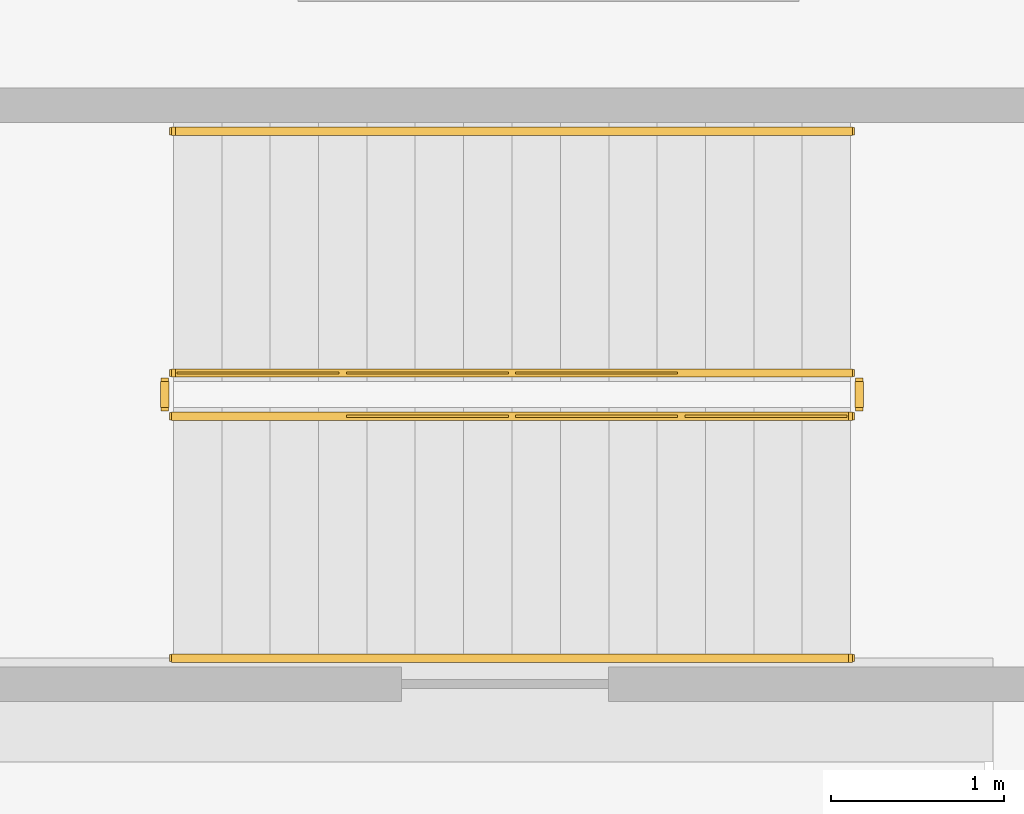
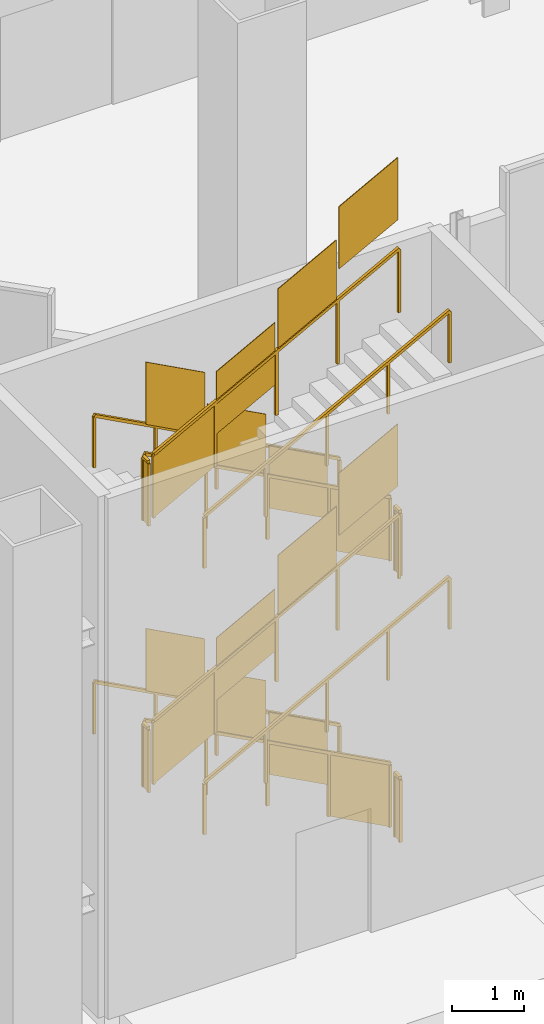
# One storey, part 30 of 38: 12 railings.
"""IFC4 building model written with IfcOpenShell, lengths in metres."""

from ifc_helpers import new_model, si_unit, direction, frame, origin, origin_2d, place, context, subcontext, project, spatial, polyline, rectangle, outline, extrude, material, type_object, element, save


model = new_model("IFC4")

# Units and contexts
model_context = context("Model", 3, precision=1e-05, world=origin(), true_north=direction((0.0, 1.0)))
body_context = subcontext(model_context, "Body", "Model", "MODEL_VIEW")
ifc_project = project(units=[si_unit("LENGTHUNIT", "METRE"), si_unit("AREAUNIT", "SQUARE_METRE"), si_unit("VOLUMEUNIT", "CUBIC_METRE"), si_unit("PLANEANGLEUNIT", "RADIAN"), si_unit("MASSUNIT", "GRAM", prefix="KILO")], contexts=[model_context])

# Site, building, storey
site_placement = place(None, origin())
site = spatial("IfcSite", under=ifc_project, at=site_placement, CompositionType="ELEMENT")
building_placement = place(site_placement, origin())
building = spatial("IfcBuilding", under=site, at=building_placement, Name="Cairn Pilgrim Tower", CompositionType="ELEMENT")
storey_placement = place(building_placement, origin())
storey = spatial("IfcBuildingStorey", under=building, at=storey_placement, Name="L00", CompositionType="ELEMENT", Elevation=0.0)

# Railings
ifc_material = material(Name="Painted steel", Category="steel")
railing_type_1 = type_object("IfcRailingType", Name="PODIUM STAIR GUARD 1100", PredefinedType="GUARDRAIL", material=ifc_material)
railing_1_placement = place(storey_placement, frame((-25.60009765625, -26.25, 0.14990234375)))
element("IfcRailing", 1, at=railing_1_placement, inside=storey, type_object=railing_type_1, Name="L00 ST-HS stair guard 1", PredefinedType="GUARDRAIL", context=body_context, shape_type="SweptSolid", body=[
    extrude(rectangle(XDim=0.048095703125, YDim=0.048095703125, at=origin_2d()), frame((0.0, 0.0, 1.076171875), z_axis=(-0.881466911329, 0.0, 0.472245787945), x_axis=(0.0, -1.0, 0.0)), (0.0, 0.0, 1.0), 4.447021484375),
    extrude(rectangle(XDim=0.0419921875, YDim=0.0419921875, at=origin_2d()), origin(), (0.0, 0.0, 1.0), 1.052001953125),
    extrude(rectangle(XDim=0.0419921875, YDim=0.0419921875, at=origin_2d()), frame((-0.97998046875, 0.0, 0.52490234375)), (0.0, 0.0, 1.0), 1.052001953125),
    extrude(rectangle(XDim=0.0419921875, YDim=0.0419921875, at=origin_2d()), frame((-1.9599609375, 0.0, 1.050048828125)), (0.0, 0.0, 1.0), 1.052001953125),
    extrude(rectangle(XDim=0.0419921875, YDim=0.0419921875, at=origin_2d()), frame((-2.93994140625, 0.0, 1.5751953125)), (0.0, 0.0, 1.0), 1.052001953125),
    extrude(rectangle(XDim=0.0419921875, YDim=0.0419921875, at=origin_2d()), frame((-3.919921875, 0.0, 2.10009765625)), (0.0, 0.0, 1.0), 1.052001953125),
    extrude(outline(polyline([(0.02099609375, 0.01123046875), (0.958984375, 0.513671875), (0.958984375, 1.565673828125), (0.02099609375, 1.063232421875), (0.02099609375, 0.01123046875)])), frame((0.0, -0.005859375, 0.0), z_axis=(0.0, 1.0, 0.0), x_axis=(-1.0, 0.0, 0.0)), (0.0, 0.0, 1.0), 0.011962890625),
    extrude(outline(polyline([(0.02099609375, 0.536376953125), (0.958984375, 1.038818359375), (0.958984375, 2.0908203125), (0.02099609375, 1.58837890625), (0.02099609375, 0.536376953125)])), frame((-0.97998046875, -0.005859375, 0.52490234375), z_axis=(0.0, 1.0, 0.0), x_axis=(-1.0, 0.0, 0.0)), (0.0, 0.0, 1.0), 0.011962890625),
    extrude(outline(polyline([(0.02099609375, 1.061279296875), (0.958984375, 1.563720703125), (0.958984375, 2.61572265625), (0.02099609375, 2.11328125), (0.02099609375, 1.061279296875)])), frame((-1.9599609375, -0.005859375, 1.050048828125), z_axis=(0.0, 1.0, 0.0), x_axis=(-1.0, 0.0, 0.0)), (0.0, 0.0, 1.0), 0.011962890625),
    extrude(outline(polyline([(0.02099609375, 1.58642578125), (0.958984375, 2.0888671875), (0.958984375, 3.140869140625), (0.02099609375, 2.638427734375), (0.02099609375, 1.58642578125)])), frame((-2.93994140625, -0.005859375, 1.5751953125), z_axis=(0.0, 1.0, 0.0), x_axis=(-1.0, 0.0, 0.0)), (0.0, 0.0, 1.0), 0.011962890625),
])
railing_2_placement = place(storey_placement, frame((-29.570068359375, -26.300048828125, 2.25)))
element("IfcRailing", 2, at=railing_2_placement, inside=storey, type_object=railing_type_1, Name="L00 ST-HS stair guard 2", PredefinedType="GUARDRAIL", context=body_context, shape_type="SweptSolid", body=[
    extrude(rectangle(XDim=0.048095703125, YDim=0.048095703125, at=origin_2d()), frame((0.0, 0.0, 1.076171875), z_axis=(0.0, -1.0, 0.0), x_axis=(1.0, 0.0, 0.0)), (0.0, 0.0, 1.0), 0.14990234375),
    extrude(rectangle(XDim=0.0419921875, YDim=0.0419921875, at=origin_2d()), origin(), (0.0, 0.0, 1.0), 1.052001953125),
    extrude(rectangle(XDim=0.0419921875, YDim=0.0419921875, at=origin_2d()), frame((0.0, -0.14990234375, 0.0)), (0.0, 0.0, 1.0), 1.052001953125),
    extrude(outline(polyline([(0.02099609375, 0.0), (0.12890625, 0.0), (0.12890625, 1.052001953125), (0.02099609375, 1.052001953125), (0.02099609375, 0.0)])), frame((0.005859375, 0.0, 0.0), z_axis=(-1.0, 0.0, 0.0), x_axis=(0.0, -1.0, 0.0)), (0.0, 0.0, 1.0), 0.011962890625),
])
railing_3_placement = place(storey_placement, frame((-29.52001953125, -26.5, 2.39990234375)))
element("IfcRailing", 3, at=railing_3_placement, inside=storey, type_object=railing_type_1, Name="L00 ST-HS stair guard 3", PredefinedType="GUARDRAIL", context=body_context, shape_type="SweptSolid", body=[
    extrude(rectangle(XDim=0.048095703125, YDim=0.048095703125, at=origin_2d()), frame((0.0, 0.0, 1.076171875), z_axis=(0.881466911329, 0.0, 0.472245787945), x_axis=(0.0, 1.0, 0.0)), (0.0, 0.0, 1.0), 4.447021484375),
    extrude(rectangle(XDim=0.0419921875, YDim=0.0419921875, at=origin_2d()), origin(), (0.0, 0.0, 1.0), 1.052001953125),
    extrude(rectangle(XDim=0.0419921875, YDim=0.0419921875, at=origin_2d()), frame((0.97998046875, 0.0, 0.52490234375)), (0.0, 0.0, 1.0), 1.052001953125),
    extrude(rectangle(XDim=0.0419921875, YDim=0.0419921875, at=origin_2d()), frame((1.9599609375, 0.0, 1.050048828125)), (0.0, 0.0, 1.0), 1.052001953125),
    extrude(rectangle(XDim=0.0419921875, YDim=0.0419921875, at=origin_2d()), frame((2.93994140625, 0.0, 1.5751953125)), (0.0, 0.0, 1.0), 1.052001953125),
    extrude(rectangle(XDim=0.0419921875, YDim=0.0419921875, at=origin_2d()), frame((3.919921875, 0.0, 2.10009765625)), (0.0, 0.0, 1.0), 1.052001953125),
    extrude(outline(polyline([(0.02099609375, 0.01123046875), (0.958984375, 0.513671875), (0.958984375, 1.565673828125), (0.02099609375, 1.063232421875), (0.02099609375, 0.01123046875)])), frame((0.0, 0.005859375, 0.0), z_axis=(0.0, -1.0, 0.0), x_axis=(1.0, 0.0, 0.0)), (0.0, 0.0, 1.0), 0.011962890625),
    extrude(outline(polyline([(0.02099609375, 0.536376953125), (0.958984375, 1.038818359375), (0.958984375, 2.0908203125), (0.02099609375, 1.58837890625), (0.02099609375, 0.536376953125)])), frame((0.97998046875, 0.005859375, 0.52490234375), z_axis=(0.0, -1.0, 0.0), x_axis=(1.0, 0.0, 0.0)), (0.0, 0.0, 1.0), 0.011962890625),
    extrude(outline(polyline([(0.02099609375, 1.061279296875), (0.958984375, 1.563720703125), (0.958984375, 2.61572265625), (0.02099609375, 2.11328125), (0.02099609375, 1.061279296875)])), frame((1.9599609375, 0.005859375, 1.050048828125), z_axis=(0.0, -1.0, 0.0), x_axis=(1.0, 0.0, 0.0)), (0.0, 0.0, 1.0), 0.011962890625),
    extrude(outline(polyline([(0.02099609375, 1.58642578125), (0.958984375, 2.0888671875), (0.958984375, 3.140869140625), (0.02099609375, 2.638427734375), (0.02099609375, 1.58642578125)])), frame((2.93994140625, 0.005859375, 1.5751953125), z_axis=(0.0, -1.0, 0.0), x_axis=(1.0, 0.0, 0.0)), (0.0, 0.0, 1.0), 0.011962890625),
])
railing_4_placement = place(storey_placement, frame((-25.550048828125, -26.300048828125, 4.5)))
element("IfcRailing", 4, at=railing_4_placement, inside=storey, type_object=railing_type_1, Name="L00 ST-HS stair guard 4", PredefinedType="GUARDRAIL", context=body_context, shape_type="SweptSolid", body=[
    extrude(rectangle(XDim=0.048095703125, YDim=0.048095703125, at=origin_2d()), frame((0.0, 0.0, 1.076171875), z_axis=(0.0, -1.0, 0.0), x_axis=(1.0, 0.0, 0.0)), (0.0, 0.0, 1.0), 0.14990234375),
    extrude(rectangle(XDim=0.0419921875, YDim=0.0419921875, at=origin_2d()), origin(), (0.0, 0.0, 1.0), 1.052001953125),
    extrude(rectangle(XDim=0.0419921875, YDim=0.0419921875, at=origin_2d()), frame((0.0, -0.14990234375, 0.0)), (0.0, 0.0, 1.0), 1.052001953125),
    extrude(outline(polyline([(0.02099609375, 0.0), (0.12890625, 0.0), (0.12890625, 1.052001953125), (0.02099609375, 1.052001953125), (0.02099609375, 0.0)])), frame((0.005859375, 0.0, 0.0), z_axis=(-1.0, 0.0, 0.0), x_axis=(0.0, -1.0, 0.0)), (0.0, 0.0, 1.0), 0.011962890625),
])
railing_5_placement = place(storey_placement, frame((-25.60009765625, -26.25, 4.64990234375)))
element("IfcRailing", 5, at=railing_5_placement, inside=storey, type_object=railing_type_1, Name="L00 ST-HS stair guard 5", PredefinedType="GUARDRAIL", context=body_context, shape_type="SweptSolid", body=[
    extrude(rectangle(XDim=0.048095703125, YDim=0.048095703125, at=origin_2d()), frame((0.0, 0.0, 1.076171875), z_axis=(-0.881466911329, 0.0, 0.472245787945), x_axis=(0.0, -1.0, 0.0)), (0.0, 0.0, 1.0), 4.447021484375),
    extrude(rectangle(XDim=0.0419921875, YDim=0.0419921875, at=origin_2d()), origin(), (0.0, 0.0, 1.0), 1.052001953125),
    extrude(rectangle(XDim=0.0419921875, YDim=0.0419921875, at=origin_2d()), frame((-0.97998046875, 0.0, 0.52490234375)), (0.0, 0.0, 1.0), 1.052001953125),
    extrude(rectangle(XDim=0.0419921875, YDim=0.0419921875, at=origin_2d()), frame((-1.9599609375, 0.0, 1.050048828125)), (0.0, 0.0, 1.0), 1.052001953125),
    extrude(rectangle(XDim=0.0419921875, YDim=0.0419921875, at=origin_2d()), frame((-2.93994140625, 0.0, 1.5751953125)), (0.0, 0.0, 1.0), 1.052001953125),
    extrude(rectangle(XDim=0.0419921875, YDim=0.0419921875, at=origin_2d()), frame((-3.919921875, 0.0, 2.10009765625)), (0.0, 0.0, 1.0), 1.052001953125),
    extrude(outline(polyline([(0.02099609375, 0.01123046875), (0.958984375, 0.513671875), (0.958984375, 1.565673828125), (0.02099609375, 1.063232421875), (0.02099609375, 0.01123046875)])), frame((0.0, -0.005859375, 0.0), z_axis=(0.0, 1.0, 0.0), x_axis=(-1.0, 0.0, 0.0)), (0.0, 0.0, 1.0), 0.011962890625),
    extrude(outline(polyline([(0.02099609375, 0.536376953125), (0.958984375, 1.038818359375), (0.958984375, 2.0908203125), (0.02099609375, 1.58837890625), (0.02099609375, 0.536376953125)])), frame((-0.97998046875, -0.005859375, 0.52490234375), z_axis=(0.0, 1.0, 0.0), x_axis=(-1.0, 0.0, 0.0)), (0.0, 0.0, 1.0), 0.011962890625),
    extrude(outline(polyline([(0.02099609375, 1.061279296875), (0.958984375, 1.563720703125), (0.958984375, 2.61572265625), (0.02099609375, 2.11328125), (0.02099609375, 1.061279296875)])), frame((-1.9599609375, -0.005859375, 1.050048828125), z_axis=(0.0, 1.0, 0.0), x_axis=(-1.0, 0.0, 0.0)), (0.0, 0.0, 1.0), 0.011962890625),
    extrude(outline(polyline([(0.02099609375, 1.58642578125), (0.958984375, 2.0888671875), (0.958984375, 3.140869140625), (0.02099609375, 2.638427734375), (0.02099609375, 1.58642578125)])), frame((-2.93994140625, -0.005859375, 1.5751953125), z_axis=(0.0, 1.0, 0.0), x_axis=(-1.0, 0.0, 0.0)), (0.0, 0.0, 1.0), 0.011962890625),
])
railing_6_placement = place(storey_placement, frame((-29.570068359375, -26.300048828125, 6.75)))
element("IfcRailing", 6, at=railing_6_placement, inside=storey, type_object=railing_type_1, Name="L00 ST-HS stair guard 6", PredefinedType="GUARDRAIL", context=body_context, shape_type="SweptSolid", body=[
    extrude(rectangle(XDim=0.048095703125, YDim=0.048095703125, at=origin_2d()), frame((0.0, 0.0, 1.076171875), z_axis=(0.0, -1.0, 0.0), x_axis=(1.0, 0.0, 0.0)), (0.0, 0.0, 1.0), 0.14990234375),
    extrude(rectangle(XDim=0.0419921875, YDim=0.0419921875, at=origin_2d()), origin(), (0.0, 0.0, 1.0), 1.052001953125),
    extrude(rectangle(XDim=0.0419921875, YDim=0.0419921875, at=origin_2d()), frame((0.0, -0.14990234375, 0.0)), (0.0, 0.0, 1.0), 1.052001953125),
    extrude(outline(polyline([(0.02099609375, 0.0), (0.12890625, 0.0), (0.12890625, 1.052001953125), (0.02099609375, 1.052001953125), (0.02099609375, 0.0)])), frame((0.005859375, 0.0, 0.0), z_axis=(-1.0, 0.0, 0.0), x_axis=(0.0, -1.0, 0.0)), (0.0, 0.0, 1.0), 0.011962890625),
])
railing_7_placement = place(storey_placement, frame((-29.52001953125, -26.5, 6.89990234375)))
element("IfcRailing", 7, at=railing_7_placement, inside=storey, type_object=railing_type_1, Name="L00 ST-HS stair guard 7", PredefinedType="GUARDRAIL", context=body_context, shape_type="SweptSolid", body=[
    extrude(rectangle(XDim=0.048095703125, YDim=0.048095703125, at=origin_2d()), frame((0.0, 0.0, 1.076171875), z_axis=(0.881466911329, 0.0, 0.472245787945), x_axis=(0.0, 1.0, 0.0)), (0.0, 0.0, 1.0), 4.447021484375),
    extrude(rectangle(XDim=0.0419921875, YDim=0.0419921875, at=origin_2d()), origin(), (0.0, 0.0, 1.0), 1.052001953125),
    extrude(rectangle(XDim=0.0419921875, YDim=0.0419921875, at=origin_2d()), frame((0.97998046875, 0.0, 0.52490234375)), (0.0, 0.0, 1.0), 1.052001953125),
    extrude(rectangle(XDim=0.0419921875, YDim=0.0419921875, at=origin_2d()), frame((1.9599609375, 0.0, 1.050048828125)), (0.0, 0.0, 1.0), 1.052001953125),
    extrude(rectangle(XDim=0.0419921875, YDim=0.0419921875, at=origin_2d()), frame((2.93994140625, 0.0, 1.5751953125)), (0.0, 0.0, 1.0), 1.052001953125),
    extrude(rectangle(XDim=0.0419921875, YDim=0.0419921875, at=origin_2d()), frame((3.919921875, 0.0, 2.10009765625)), (0.0, 0.0, 1.0), 1.052001953125),
    extrude(outline(polyline([(0.02099609375, 0.01123046875), (0.958984375, 0.513671875), (0.958984375, 1.565673828125), (0.02099609375, 1.063232421875), (0.02099609375, 0.01123046875)])), frame((0.0, 0.005859375, 0.0), z_axis=(0.0, -1.0, 0.0), x_axis=(1.0, 0.0, 0.0)), (0.0, 0.0, 1.0), 0.011962890625),
    extrude(outline(polyline([(0.02099609375, 0.536376953125), (0.958984375, 1.038818359375), (0.958984375, 2.0908203125), (0.02099609375, 1.58837890625), (0.02099609375, 0.536376953125)])), frame((0.97998046875, 0.005859375, 0.52490234375), z_axis=(0.0, -1.0, 0.0), x_axis=(1.0, 0.0, 0.0)), (0.0, 0.0, 1.0), 0.011962890625),
    extrude(outline(polyline([(0.02099609375, 1.061279296875), (0.958984375, 1.563720703125), (0.958984375, 2.61572265625), (0.02099609375, 2.11328125), (0.02099609375, 1.061279296875)])), frame((1.9599609375, 0.005859375, 1.050048828125), z_axis=(0.0, -1.0, 0.0), x_axis=(1.0, 0.0, 0.0)), (0.0, 0.0, 1.0), 0.011962890625),
    extrude(outline(polyline([(0.02099609375, 1.58642578125), (0.958984375, 2.0888671875), (0.958984375, 3.140869140625), (0.02099609375, 2.638427734375), (0.02099609375, 1.58642578125)])), frame((2.93994140625, 0.005859375, 1.5751953125), z_axis=(0.0, -1.0, 0.0), x_axis=(1.0, 0.0, 0.0)), (0.0, 0.0, 1.0), 0.011962890625),
])
railing_8_placement = place(storey_placement, frame((-25.550048828125, -26.300048828125, 0.0)))
element("IfcRailing", 8, at=railing_8_placement, inside=storey, type_object=railing_type_1, Name="L00 ST-HS stair guard 8", PredefinedType="GUARDRAIL", context=body_context, shape_type="SweptSolid", body=[
    extrude(rectangle(XDim=0.048095703125, YDim=0.048095703125, at=origin_2d()), frame((0.0, 0.0, 1.076171875), z_axis=(0.0, -1.0, 0.0), x_axis=(1.0, 0.0, 0.0)), (0.0, 0.0, 1.0), 0.14990234375),
    extrude(rectangle(XDim=0.0419921875, YDim=0.0419921875, at=origin_2d()), origin(), (0.0, 0.0, 1.0), 1.052001953125),
    extrude(rectangle(XDim=0.0419921875, YDim=0.0419921875, at=origin_2d()), frame((0.0, -0.14990234375, 0.0)), (0.0, 0.0, 1.0), 1.052001953125),
    extrude(outline(polyline([(0.02099609375, 0.0), (0.12890625, 0.0), (0.12890625, 1.052001953125), (0.02099609375, 1.052001953125), (0.02099609375, 0.0)])), frame((0.005859375, 0.0, 0.0), z_axis=(-1.0, 0.0, 0.0), x_axis=(0.0, -1.0, 0.0)), (0.0, 0.0, 1.0), 0.011962890625),
])
railing_type_2 = type_object("IfcRailingType", Name="PODIUM STAIR HANDRAIL 900", PredefinedType="HANDRAIL", material=ifc_material)
railing_9_placement = place(storey_placement, frame((-25.60009765625, -24.85009765625, 0.14990234375)))
element("IfcRailing", 9, at=railing_9_placement, inside=storey, type_object=railing_type_2, Name="L00 ST-HS stair handrail 1", PredefinedType="HANDRAIL", context=body_context, shape_type="SweptSolid", body=[
    extrude(rectangle(XDim=0.048095703125, YDim=0.048095703125, at=origin_2d()), frame((0.0, 0.0, 0.8759765625), z_axis=(-0.881466911329, 0.0, 0.472245787945), x_axis=(0.0, -1.0, 0.0)), (0.0, 0.0, 1.0), 4.447021484375),
    extrude(rectangle(XDim=0.0419921875, YDim=0.0419921875, at=origin_2d()), origin(), (0.0, 0.0, 1.0), 0.851806640625),
    extrude(rectangle(XDim=0.0419921875, YDim=0.0419921875, at=origin_2d()), frame((-0.97998046875, 0.0, 0.52490234375)), (0.0, 0.0, 1.0), 0.851806640625),
    extrude(rectangle(XDim=0.0419921875, YDim=0.0419921875, at=origin_2d()), frame((-1.9599609375, 0.0, 1.050048828125)), (0.0, 0.0, 1.0), 0.851806640625),
    extrude(rectangle(XDim=0.0419921875, YDim=0.0419921875, at=origin_2d()), frame((-2.93994140625, 0.0, 1.5751953125)), (0.0, 0.0, 1.0), 0.851806640625),
    extrude(rectangle(XDim=0.0419921875, YDim=0.0419921875, at=origin_2d()), frame((-3.919921875, 0.0, 2.10009765625)), (0.0, 0.0, 1.0), 0.851806640625),
])
railing_10_placement = place(storey_placement, frame((-29.52001953125, -27.89990234375, 2.39990234375)))
element("IfcRailing", 10, at=railing_10_placement, inside=storey, type_object=railing_type_2, Name="L00 ST-HS stair handrail 2", PredefinedType="HANDRAIL", context=body_context, shape_type="SweptSolid", body=[
    extrude(rectangle(XDim=0.048095703125, YDim=0.048095703125, at=origin_2d()), frame((0.0, 0.0, 0.8759765625), z_axis=(0.881466911329, 0.0, 0.472245787945), x_axis=(0.0, 1.0, 0.0)), (0.0, 0.0, 1.0), 4.447021484375),
    extrude(rectangle(XDim=0.0419921875, YDim=0.0419921875, at=origin_2d()), origin(), (0.0, 0.0, 1.0), 0.851806640625),
    extrude(rectangle(XDim=0.0419921875, YDim=0.0419921875, at=origin_2d()), frame((0.97998046875, 0.0, 0.52490234375)), (0.0, 0.0, 1.0), 0.851806640625),
    extrude(rectangle(XDim=0.0419921875, YDim=0.0419921875, at=origin_2d()), frame((1.9599609375, 0.0, 1.050048828125)), (0.0, 0.0, 1.0), 0.851806640625),
    extrude(rectangle(XDim=0.0419921875, YDim=0.0419921875, at=origin_2d()), frame((2.93994140625, 0.0, 1.5751953125)), (0.0, 0.0, 1.0), 0.851806640625),
    extrude(rectangle(XDim=0.0419921875, YDim=0.0419921875, at=origin_2d()), frame((3.919921875, 0.0, 2.10009765625)), (0.0, 0.0, 1.0), 0.851806640625),
])
railing_11_placement = place(storey_placement, frame((-25.60009765625, -24.85009765625, 4.64990234375)))
element("IfcRailing", 11, at=railing_11_placement, inside=storey, type_object=railing_type_2, Name="L00 ST-HS stair handrail 3", PredefinedType="HANDRAIL", context=body_context, shape_type="SweptSolid", body=[
    extrude(rectangle(XDim=0.048095703125, YDim=0.048095703125, at=origin_2d()), frame((0.0, 0.0, 0.8759765625), z_axis=(-0.881466911329, 0.0, 0.472245787945), x_axis=(0.0, -1.0, 0.0)), (0.0, 0.0, 1.0), 4.447021484375),
    extrude(rectangle(XDim=0.0419921875, YDim=0.0419921875, at=origin_2d()), origin(), (0.0, 0.0, 1.0), 0.851806640625),
    extrude(rectangle(XDim=0.0419921875, YDim=0.0419921875, at=origin_2d()), frame((-0.97998046875, 0.0, 0.52490234375)), (0.0, 0.0, 1.0), 0.851806640625),
    extrude(rectangle(XDim=0.0419921875, YDim=0.0419921875, at=origin_2d()), frame((-1.9599609375, 0.0, 1.050048828125)), (0.0, 0.0, 1.0), 0.851806640625),
    extrude(rectangle(XDim=0.0419921875, YDim=0.0419921875, at=origin_2d()), frame((-2.93994140625, 0.0, 1.5751953125)), (0.0, 0.0, 1.0), 0.851806640625),
    extrude(rectangle(XDim=0.0419921875, YDim=0.0419921875, at=origin_2d()), frame((-3.919921875, 0.0, 2.10009765625)), (0.0, 0.0, 1.0), 0.851806640625),
])
railing_12_placement = place(storey_placement, frame((-29.52001953125, -27.89990234375, 6.89990234375)))
element("IfcRailing", 12, at=railing_12_placement, inside=storey, type_object=railing_type_2, Name="L00 ST-HS stair handrail 4", PredefinedType="HANDRAIL", context=body_context, shape_type="SweptSolid", body=[
    extrude(rectangle(XDim=0.048095703125, YDim=0.048095703125, at=origin_2d()), frame((0.0, 0.0, 0.8759765625), z_axis=(0.881466911329, 0.0, 0.472245787945), x_axis=(0.0, 1.0, 0.0)), (0.0, 0.0, 1.0), 4.447021484375),
    extrude(rectangle(XDim=0.0419921875, YDim=0.0419921875, at=origin_2d()), origin(), (0.0, 0.0, 1.0), 0.851806640625),
    extrude(rectangle(XDim=0.0419921875, YDim=0.0419921875, at=origin_2d()), frame((0.97998046875, 0.0, 0.52490234375)), (0.0, 0.0, 1.0), 0.851806640625),
    extrude(rectangle(XDim=0.0419921875, YDim=0.0419921875, at=origin_2d()), frame((1.9599609375, 0.0, 1.050048828125)), (0.0, 0.0, 1.0), 0.851806640625),
    extrude(rectangle(XDim=0.0419921875, YDim=0.0419921875, at=origin_2d()), frame((2.93994140625, 0.0, 1.5751953125)), (0.0, 0.0, 1.0), 0.851806640625),
    extrude(rectangle(XDim=0.0419921875, YDim=0.0419921875, at=origin_2d()), frame((3.919921875, 0.0, 2.10009765625)), (0.0, 0.0, 1.0), 0.851806640625),
])

save(model, "model.ifc")
